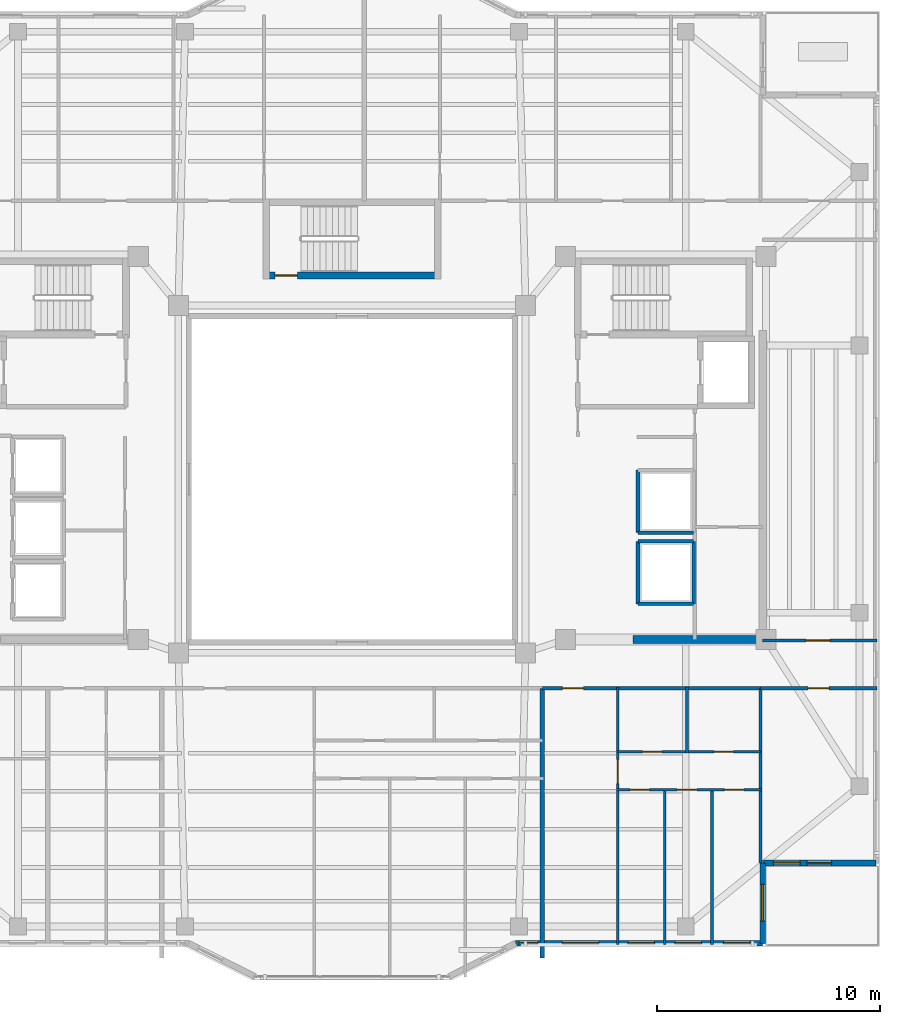
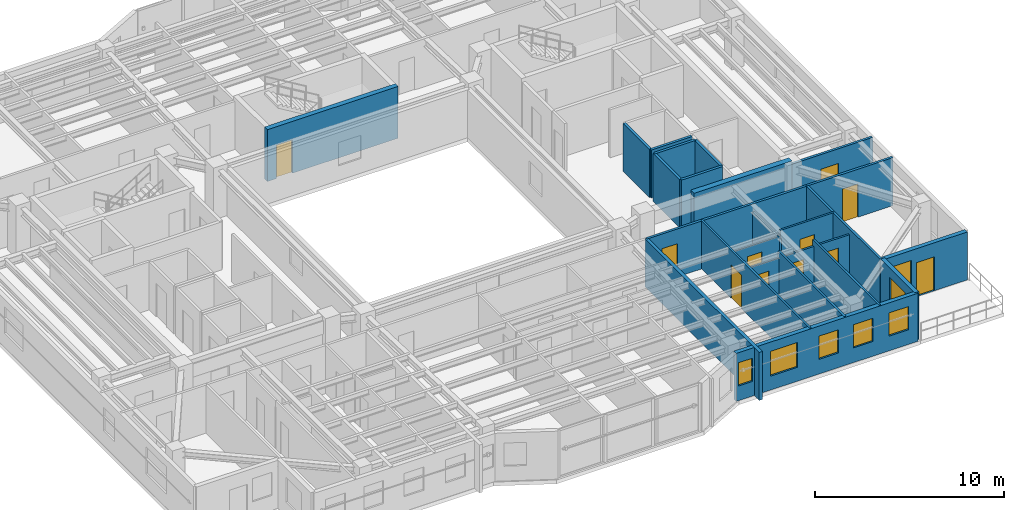
# One storey, part 8 of 15: 23 walls, 11 doors, 7 windows, 18 openings.
"""IFC4 building model written with IfcOpenShell, lengths in metres."""

from ifc_helpers import new_model, si_unit, direction, frame, frame_2d, origin, place, context, subcontext, project, spatial, rectangle, extrude, material, layer, layer_set, type_object, element, fill, save


model = new_model("IFC4")

# Units and contexts
model_context = context("Model", 3, precision=1e-05, world=origin(), true_north=direction((0.0, 1.0)))
body_context = subcontext(model_context, "Body", "Model", "MODEL_VIEW")
ifc_project = project(units=[si_unit("LENGTHUNIT", "METRE"), si_unit("AREAUNIT", "SQUARE_METRE"), si_unit("VOLUMEUNIT", "CUBIC_METRE"), si_unit("PLANEANGLEUNIT", "RADIAN"), si_unit("MASSUNIT", "GRAM", prefix="KILO")], contexts=[model_context])

# Site, building, storey
site_placement = place(None, origin())
site = spatial("IfcSite", under=ifc_project, at=site_placement, CompositionType="ELEMENT")
building_placement = place(site_placement, origin())
building = spatial("IfcBuilding", under=site, at=building_placement, Name="Tarnavaz Court Tower", CompositionType="ELEMENT")
storey_placement = place(building_placement, frame((0.0, 0.0, 186.89990234375)))
storey = spatial("IfcBuildingStorey", under=building, at=storey_placement, Name="L50", CompositionType="ELEMENT", Elevation=186.89990234375)

# Wall, opening, door
ifc_material_1 = material(Name="Concrete C50/60", Category="concrete")
ifc_layer_1 = layer(ifc_material_1, 0.300048828125)
ifc_layer_set_1 = layer_set([ifc_layer_1], Name="Concrete C50/60")
wall_type_1 = type_object("IfcWallType", Name="WL-CORE-300-C50", PredefinedType="SHEAR", material=ifc_layer_set_1)
wall_1_placement = place(storey_placement, frame((-4.0, 9.14990234375, 0.0), z_axis=(0.0, 0.0, 1.0), x_axis=(1.0, 0.0, 0.0)))
wall_1 = element("IfcWall", 1, at=wall_1_placement, inside=storey, type_object=wall_type_1, Name="L50 North Stair Core Wall 010", PredefinedType="SHEAR", context=body_context, shape_type="SweptSolid", body=[
    extrude(rectangle(XDim=8.0, YDim=0.300048828125, at=frame_2d((4.0, 0.0))), origin(), (0.0, 0.0, 1.0), 3.35009765625),
])
opening_1_placement = place(wall_1_placement, frame((0.550048828125, 0.0, 0.0)))
opening_1 = element("IfcOpeningElement", 2, at=opening_1_placement, cuts=wall_1, Name="Opening D01", PredefinedType="OPENING", context=body_context, shape_type="SweptSolid", body=[
    extrude(rectangle(XDim=1.0, YDim=2.14990234375, at=frame_2d((0.5, 1.074951171875))), frame((0.0, 0.159912109375, 0.0), z_axis=(0.0, -1.0, 0.0), x_axis=(1.0, 0.0, 0.0)), (0.0, 0.0, 1.0), 0.320068359375),
])
ifc_material_2 = material(Name="Fire-Rated Hardwood Timber Core", Category="wood")
door_type_1 = type_object("IfcDoorType", Name="DR-FD90-1000", OperationType="NOTDEFINED", PredefinedType="DOOR", material=ifc_material_2)
door_1_placement = place(opening_1_placement, origin())
door_1 = element("IfcDoor", 3, at=door_1_placement, inside=storey, type_object=door_type_1, Name="L50 Stair ST-N1 Exit Door", OperationType="SINGLE_SWING_LEFT", OverallHeight=2.14990234375, OverallWidth=1.0, PredefinedType="DOOR", context=body_context, shape_type="SweptSolid", body=[
    extrude(rectangle(XDim=1.0, YDim=2.14990234375, at=frame_2d((0.5, 1.074951171875))), frame((0.0, 0.02490234375, 0.0), z_axis=(0.0, -1.0, 0.0), x_axis=(1.0, 0.0, 0.0)), (0.0, 0.0, 1.0), 0.050048828125),
])
fill(opening_1, door_1)

# Wall
ifc_layer_2 = layer(ifc_material_1, 0.35009765625)
ifc_layer_set_2 = layer_set([ifc_layer_2], Name="Concrete C50/60")
wall_type_2 = type_object("IfcWallType", Name="WL-CORE-350-C50", PredefinedType="SHEAR", material=ifc_layer_set_2)
wall_2_placement = place(storey_placement, frame((12.625, -7.199951171875, 0.0), z_axis=(0.0, 0.0, 1.0), x_axis=(1.0, 0.0, 0.0)))
element("IfcWall", 4, at=wall_2_placement, inside=storey, type_object=wall_type_2, Name="L50 East Core South Shear Wall 048", PredefinedType="SHEAR", context=body_context, shape_type="SweptSolid", body=[
    extrude(rectangle(XDim=6.0, YDim=0.35009765625, at=frame_2d((3.0, 0.0))), origin(), (0.0, 0.0, 1.0), 3.35009765625),
])

# Wall, openings, door, window
ifc_material_3 = material(Name="Precast Concrete C40/50", Category="concrete")
ifc_layer_3 = layer(ifc_material_3, 0.260009765625)
ifc_layer_set_3 = layer_set([ifc_layer_3], Name="Precast Concrete C40/50")
wall_type_3 = type_object("IfcWallType", Name="WL-EXT-260", PredefinedType="SOLIDWALL", material=ifc_layer_set_3)
wall_3_placement = place(storey_placement, frame((23.550048828125, -17.25, 0.0), z_axis=(0.0, 0.0, 1.0), x_axis=(-1.0, 0.0, 0.0)))
wall_3 = element("IfcWall", 5, at=wall_3_placement, inside=storey, type_object=wall_type_3, Name="L50 Exterior Terracotta Facade Wall 13", PredefinedType="SOLIDWALL", context=body_context, shape_type="SweptSolid", body=[
    extrude(rectangle(XDim=5.10009765625, YDim=0.260009765625, at=frame_2d((2.550048828125, 0.0))), origin(), (0.0, 0.0, 1.0), 3.10009765625),
])
opening_2_placement = place(wall_3_placement, frame((2.0, 0.0, 0.0)))
opening_2 = element("IfcOpeningElement", 6, at=opening_2_placement, cuts=wall_3, Name="Opening TD1", PredefinedType="OPENING", context=body_context, shape_type="SweptSolid", body=[
    extrude(rectangle(XDim=1.10009765625, YDim=2.199951171875, at=frame_2d((0.550048828125, 1.10009765625))), frame((0.0, 0.139892578125, 0.0), z_axis=(0.0, -1.0, 0.0), x_axis=(1.0, 0.0, 0.0)), (0.0, 0.0, 1.0), 0.280029296875),
])
opening_3_placement = place(wall_3_placement, frame((3.419921875, 0.0, 0.949951171875)))
opening_3 = element("IfcOpeningElement", 7, at=opening_3_placement, cuts=wall_3, Name="Opening W05", PredefinedType="OPENING", context=body_context, shape_type="SweptSolid", body=[
    extrude(rectangle(XDim=1.199951171875, YDim=1.5, at=frame_2d((0.60009765625, 0.75))), frame((0.0, 0.139892578125, 0.0), z_axis=(0.0, -1.0, 0.0), x_axis=(1.0, 0.0, 0.0)), (0.0, 0.0, 1.0), 0.280029296875),
])
ifc_material_4 = material(Name="Thermally Broken Aluminium and Laminated Glass", Category="aluminium")
door_type_2 = type_object("IfcDoorType", Name="DR-TERR-1100", OperationType="NOTDEFINED", PredefinedType="DOOR", material=ifc_material_4)
door_2_placement = place(opening_2_placement, origin())
door_2 = element("IfcDoor", 8, at=door_2_placement, inside=storey, type_object=door_type_2, Name="L50 Sky Terrace Access Door 3", OperationType="SINGLE_SWING_LEFT", OverallHeight=2.199951171875, OverallWidth=1.10009765625, PredefinedType="DOOR", context=body_context, shape_type="SweptSolid", body=[
    extrude(rectangle(XDim=1.10009765625, YDim=2.199951171875, at=frame_2d((0.550048828125, 1.10009765625))), frame((0.0, 0.02490234375, 0.0), z_axis=(0.0, -1.0, 0.0), x_axis=(1.0, 0.0, 0.0)), (0.0, 0.0, 1.0), 0.050048828125),
])
fill(opening_2, door_2)
ifc_material_5 = material(Name="Double-Glazed Solar Low-E Glass", Category="glass")
window_type_1 = type_object("IfcWindowType", Name="WN-APT-1200", PartitioningType="SINGLE_PANEL", PredefinedType="WINDOW", material=ifc_material_5)
window_1_placement = place(opening_3_placement, origin())
window_1 = element("IfcWindow", 9, at=window_1_placement, inside=storey, type_object=window_type_1, Name="L50 South-East Corner Reading Room Window", OverallHeight=1.5, OverallWidth=1.199951171875, PartitioningType="SINGLE_PANEL", PredefinedType="WINDOW", context=body_context, shape_type="SweptSolid", body=[
    extrude(rectangle(XDim=1.199951171875, YDim=1.5, at=frame_2d((0.60009765625, 0.75))), frame((0.0, 0.030029296875, 0.0), z_axis=(0.0, -1.0, 0.0), x_axis=(1.0, 0.0, 0.0)), (0.0, 0.0, 1.0), 0.06005859375),
])
fill(opening_3, window_1)

# Wall, opening, window
wall_4_placement = place(storey_placement, frame((18.449951171875, -17.25, 0.0), z_axis=(0.0, 0.0, 1.0), x_axis=(0.0, -1.0, 0.0)))
wall_4 = element("IfcWall", 10, at=wall_4_placement, inside=storey, type_object=wall_type_3, Name="L50 Exterior Terracotta Facade Wall 14", PredefinedType="SOLIDWALL", context=body_context, shape_type="SweptSolid", body=[
    extrude(rectangle(XDim=3.60009765625, YDim=0.260009765625, at=frame_2d((1.800048828125, 0.0))), origin(), (0.0, 0.0, 1.0), 3.10009765625),
])
opening_4_placement = place(wall_4_placement, frame((0.95751953125, 0.0, 0.89990234375)))
opening_4 = element("IfcOpeningElement", 11, at=opening_4_placement, cuts=wall_4, Name="Opening W02", PredefinedType="OPENING", context=body_context, shape_type="SweptSolid", body=[
    extrude(rectangle(XDim=1.64990234375, YDim=1.60009765625, at=frame_2d((0.824951171875, 0.800048828125))), frame((0.0, 0.139892578125, 0.0), z_axis=(0.0, -1.0, 0.0), x_axis=(1.0, 0.0, 0.0)), (0.0, 0.0, 1.0), 0.280029296875),
])
window_type_2 = type_object("IfcWindowType", Name="WN-APT-1650", PartitioningType="DOUBLE_PANEL_VERTICAL", PredefinedType="WINDOW", material=ifc_material_5)
window_2_placement = place(opening_4_placement, origin())
window_2 = element("IfcWindow", 12, at=window_2_placement, inside=storey, type_object=window_type_2, Name="L50 Flat 03 Bedroom 3 Window", OverallHeight=1.60009765625, OverallWidth=1.64990234375, PartitioningType="SINGLE_PANEL", PredefinedType="WINDOW", context=body_context, shape_type="SweptSolid", body=[
    extrude(rectangle(XDim=1.64990234375, YDim=1.60009765625, at=frame_2d((0.824951171875, 0.800048828125))), frame((0.0, 0.030029296875, 0.0), z_axis=(0.0, -1.0, 0.0), x_axis=(1.0, 0.0, 0.0)), (0.0, 0.0, 1.0), 0.06005859375),
])
fill(opening_4, window_2)

# Wall, openings, windows
wall_5_placement = place(storey_placement, frame((18.449951171875, -20.85009765625, 0.0), z_axis=(0.0, 0.0, 1.0), x_axis=(-1.0, 0.0, 0.0)))
wall_5 = element("IfcWall", 13, at=wall_5_placement, inside=storey, type_object=wall_type_3, Name="L50 Exterior Terracotta Facade Wall 15", PredefinedType="SOLIDWALL", context=body_context, shape_type="SweptSolid", body=[
    extrude(rectangle(XDim=11.099853515625, YDim=0.260009765625, at=frame_2d((5.5498046875, 0.0))), origin(), (0.0, 0.0, 1.0), 3.10009765625),
])
opening_5_placement = place(wall_5_placement, frame((0.56005859375, 0.0, 0.949951171875)))
opening_5 = element("IfcOpeningElement", 14, at=opening_5_placement, cuts=wall_5, Name="Opening W05", PredefinedType="OPENING", context=body_context, shape_type="SweptSolid", body=[
    extrude(rectangle(XDim=1.199951171875, YDim=1.5, at=frame_2d((0.60009765625, 0.75))), frame((0.0, 0.139892578125, 0.0), z_axis=(0.0, -1.0, 0.0), x_axis=(1.0, 0.0, 0.0)), (0.0, 0.0, 1.0), 0.280029296875),
])
opening_6_placement = place(wall_5_placement, frame((2.738037109375, 0.0, 0.949951171875)))
opening_6 = element("IfcOpeningElement", 15, at=opening_6_placement, cuts=wall_5, Name="Opening W05", PredefinedType="OPENING", context=body_context, shape_type="SweptSolid", body=[
    extrude(rectangle(XDim=1.199951171875, YDim=1.5, at=frame_2d((0.60009765625, 0.75))), frame((0.0, 0.139892578125, 0.0), z_axis=(0.0, -1.0, 0.0), x_axis=(1.0, 0.0, 0.0)), (0.0, 0.0, 1.0), 0.280029296875),
])
opening_7_placement = place(wall_5_placement, frame((4.8564453125, 0.0, 0.949951171875)))
opening_7 = element("IfcOpeningElement", 16, at=opening_7_placement, cuts=wall_5, Name="Opening W05", PredefinedType="OPENING", context=body_context, shape_type="SweptSolid", body=[
    extrude(rectangle(XDim=1.199951171875, YDim=1.5, at=frame_2d((0.60009765625, 0.75))), frame((0.0, 0.139892578125, 0.0), z_axis=(0.0, -1.0, 0.0), x_axis=(1.0, 0.0, 0.0)), (0.0, 0.0, 1.0), 0.280029296875),
])
opening_8_placement = place(wall_5_placement, frame((7.36181640625, 0.0, 0.89990234375)))
opening_8 = element("IfcOpeningElement", 17, at=opening_8_placement, cuts=wall_5, Name="Opening W02", PredefinedType="OPENING", context=body_context, shape_type="SweptSolid", body=[
    extrude(rectangle(XDim=1.64990234375, YDim=1.60009765625, at=frame_2d((0.824951171875, 0.800048828125))), frame((0.0, 0.139892578125, 0.0), z_axis=(0.0, -1.0, 0.0), x_axis=(1.0, 0.0, 0.0)), (0.0, 0.0, 1.0), 0.280029296875),
])
opening_9_placement = place(wall_5_placement, frame((10.1025390625, 0.0, 0.949951171875)))
opening_9 = element("IfcOpeningElement", 18, at=opening_9_placement, cuts=wall_5, Name="Opening W15", PredefinedType="OPENING", context=body_context, shape_type="SweptSolid", body=[
    extrude(rectangle(XDim=0.85009765625, YDim=1.5, at=frame_2d((0.425048828125, 0.75))), frame((0.0, 0.139892578125, 0.0), z_axis=(0.0, -1.0, 0.0), x_axis=(1.0, 0.0, 0.0)), (0.0, 0.0, 1.0), 0.280029296875),
])
window_3_placement = place(opening_5_placement, origin())
window_3 = element("IfcWindow", 19, at=window_3_placement, inside=storey, type_object=window_type_1, Name="L50 Flat 03 Bedroom 3 Window", OverallHeight=1.5, OverallWidth=1.199951171875, PartitioningType="SINGLE_PANEL", PredefinedType="WINDOW", context=body_context, shape_type="SweptSolid", body=[
    extrude(rectangle(XDim=1.199951171875, YDim=1.5, at=frame_2d((0.60009765625, 0.75))), frame((0.0, 0.030029296875, 0.0), z_axis=(0.0, -1.0, 0.0), x_axis=(1.0, 0.0, 0.0)), (0.0, 0.0, 1.0), 0.06005859375),
])
fill(opening_5, window_3)
window_4_placement = place(opening_6_placement, origin())
window_4 = element("IfcWindow", 20, at=window_4_placement, inside=storey, type_object=window_type_1, Name="L50 Flat 03 Bedroom 2 Window", OverallHeight=1.5, OverallWidth=1.199951171875, PartitioningType="SINGLE_PANEL", PredefinedType="WINDOW", context=body_context, shape_type="SweptSolid", body=[
    extrude(rectangle(XDim=1.199951171875, YDim=1.5, at=frame_2d((0.60009765625, 0.75))), frame((0.0, 0.030029296875, 0.0), z_axis=(0.0, -1.0, 0.0), x_axis=(1.0, 0.0, 0.0)), (0.0, 0.0, 1.0), 0.06005859375),
])
fill(opening_6, window_4)
window_5_placement = place(opening_7_placement, origin())
window_5 = element("IfcWindow", 21, at=window_5_placement, inside=storey, type_object=window_type_1, Name="L50 Flat 03 Principal Bedroom Window", OverallHeight=1.5, OverallWidth=1.199951171875, PartitioningType="SINGLE_PANEL", PredefinedType="WINDOW", context=body_context, shape_type="SweptSolid", body=[
    extrude(rectangle(XDim=1.199951171875, YDim=1.5, at=frame_2d((0.60009765625, 0.75))), frame((0.0, 0.030029296875, 0.0), z_axis=(0.0, -1.0, 0.0), x_axis=(1.0, 0.0, 0.0)), (0.0, 0.0, 1.0), 0.06005859375),
])
fill(opening_7, window_5)
window_6_placement = place(opening_8_placement, origin())
window_6 = element("IfcWindow", 22, at=window_6_placement, inside=storey, type_object=window_type_2, Name="L50 Flat 03 Living and Dining Room Window", OverallHeight=1.60009765625, OverallWidth=1.64990234375, PartitioningType="SINGLE_PANEL", PredefinedType="WINDOW", context=body_context, shape_type="SweptSolid", body=[
    extrude(rectangle(XDim=1.64990234375, YDim=1.60009765625, at=frame_2d((0.824951171875, 0.800048828125))), frame((0.0, 0.030029296875, 0.0), z_axis=(0.0, -1.0, 0.0), x_axis=(1.0, 0.0, 0.0)), (0.0, 0.0, 1.0), 0.06005859375),
])
fill(opening_8, window_6)
window_type_3 = type_object("IfcWindowType", Name="WN-APT-850", PartitioningType="SINGLE_PANEL", PredefinedType="WINDOW", material=ifc_material_5)
window_7_placement = place(opening_9_placement, origin())
window_7 = element("IfcWindow", 23, at=window_7_placement, inside=storey, type_object=window_type_3, Name="L50 Flat 04 Bedroom 3 Window", OverallHeight=1.5, OverallWidth=0.85009765625, PartitioningType="SINGLE_PANEL", PredefinedType="WINDOW", context=body_context, shape_type="SweptSolid", body=[
    extrude(rectangle(XDim=0.85009765625, YDim=1.5, at=frame_2d((0.425048828125, 0.75))), frame((0.0, 0.030029296875, 0.0), z_axis=(0.0, -1.0, 0.0), x_axis=(1.0, 0.0, 0.0)), (0.0, 0.0, 1.0), 0.06005859375),
])
fill(opening_9, window_7)

# Wall, opening, door
ifc_material_6 = material(Name="Gypsum Fire-Board on Acoustic Metal Stud", Category="masonry")
ifc_layer_4 = layer(ifc_material_6, 0.14990234375)
ifc_layer_set_4 = layer_set([ifc_layer_4], Name="Gypsum Fire-Board on Acoustic Metal Stud")
wall_type_4 = type_object("IfcWallType", Name="WL-FIRE-150", PredefinedType="PARTITIONING", material=ifc_layer_set_4)
wall_6_placement = place(storey_placement, frame((8.550048828125, -9.39990234375, 0.0), z_axis=(0.0, 0.0, 1.0), x_axis=(1.0, 0.0, 0.0)))
wall_6 = element("IfcWall", 24, at=wall_6_placement, inside=storey, type_object=wall_type_4, Name="L50 SE Lobby Wall 059", PredefinedType="PARTITIONING", context=body_context, shape_type="SweptSolid", body=[
    extrude(rectangle(XDim=9.800048828125, YDim=0.14990234375, at=frame_2d((4.89990234375, 0.0))), origin(), (0.0, 0.0, 1.0), 3.10009765625),
])
opening_10_placement = place(wall_6_placement, frame((0.89990234375, 0.0, 0.0)))
opening_10 = element("IfcOpeningElement", 25, at=opening_10_placement, cuts=wall_6, Name="Opening D06", PredefinedType="OPENING", context=body_context, shape_type="SweptSolid", body=[
    extrude(rectangle(XDim=0.9599609375, YDim=2.14990234375, at=frame_2d((0.47998046875, 1.074951171875))), frame((0.0, 0.0849609375, 0.0), z_axis=(0.0, -1.0, 0.0), x_axis=(1.0, 0.0, 0.0)), (0.0, 0.0, 1.0), 0.169921875),
])
door_type_3 = type_object("IfcDoorType", Name="DR-FD60-950", OperationType="NOTDEFINED", PredefinedType="DOOR", material=ifc_material_2)
door_3_placement = place(opening_10_placement, origin())
door_3 = element("IfcDoor", 26, at=door_3_placement, inside=storey, type_object=door_type_3, Name="L50 Flat 03 Entrance Door", OperationType="SINGLE_SWING_RIGHT", OverallHeight=2.14990234375, OverallWidth=0.9599609375, PredefinedType="DOOR", context=body_context, shape_type="SweptSolid", body=[
    extrude(rectangle(XDim=0.9599609375, YDim=2.14990234375, at=frame_2d((0.47998046875, 1.074951171875))), frame((0.0, 0.02490234375, 0.0), z_axis=(0.0, -1.0, 0.0), x_axis=(1.0, 0.0, 0.0)), (0.0, 0.0, 1.0), 0.050048828125),
])
fill(opening_10, door_3)

wall_7_placement = place(storey_placement, frame((18.449951171875, -7.25, 0.0), z_axis=(0.0, 0.0, 1.0), x_axis=(1.0, 0.0, 0.0)))
wall_7 = element("IfcWall", 27, at=wall_7_placement, inside=storey, type_object=wall_type_4, Name="L50 Interior Partition 093", PredefinedType="PARTITIONING", context=body_context, shape_type="SweptSolid", body=[
    extrude(rectangle(XDim=5.130126953125, YDim=0.14990234375, at=frame_2d((2.56494140625, 0.0))), origin(), (0.0, 0.0, 1.0), 3.10009765625),
])
opening_11_placement = place(wall_7_placement, frame((1.949951171875, 0.0, 0.0)))
opening_11 = element("IfcOpeningElement", 28, at=opening_11_placement, cuts=wall_7, Name="Opening D12", PredefinedType="OPENING", context=body_context, shape_type="SweptSolid", body=[
    extrude(rectangle(XDim=1.080078125, YDim=2.14990234375, at=frame_2d((0.5400390625, 1.074951171875))), frame((0.0, 0.0849609375, 0.0), z_axis=(0.0, -1.0, 0.0), x_axis=(1.0, 0.0, 0.0)), (0.0, 0.0, 1.0), 0.169921875),
])
ifc_material_7 = material(Name="Engineered Oak Timber", Category="wood")
door_type_4 = type_object("IfcDoorType", Name="DR-INT-1100", OperationType="NOTDEFINED", PredefinedType="DOOR", material=ifc_material_7)
door_4_placement = place(opening_11_placement, origin())
door_4 = element("IfcDoor", 29, at=door_4_placement, inside=storey, type_object=door_type_4, Name="L50 East Daycare Playroom Door", OperationType="SINGLE_SWING_LEFT", OverallHeight=2.14990234375, OverallWidth=1.080078125, PredefinedType="DOOR", context=body_context, shape_type="SweptSolid", body=[
    extrude(rectangle(XDim=1.080078125, YDim=2.14990234375, at=frame_2d((0.5400390625, 1.074951171875))), frame((0.0, 0.02490234375, 0.0), z_axis=(0.0, -1.0, 0.0), x_axis=(1.0, 0.0, 0.0)), (0.0, 0.0, 1.0), 0.050048828125),
])
fill(opening_11, door_4)

wall_8_placement = place(storey_placement, frame((18.35009765625, -9.39990234375, 0.0), z_axis=(0.0, 0.0, 1.0), x_axis=(1.0, 0.0, 0.0)))
wall_8 = element("IfcWall", 30, at=wall_8_placement, inside=storey, type_object=wall_type_4, Name="L50 Interior Partition 102", PredefinedType="PARTITIONING", context=body_context, shape_type="SweptSolid", body=[
    extrude(rectangle(XDim=5.22998046875, YDim=0.14990234375, at=frame_2d((2.614990234375, 0.0))), origin(), (0.0, 0.0, 1.0), 3.10009765625),
])
opening_12_placement = place(wall_8_placement, frame((2.139892578125, 0.0, 0.0)))
opening_12 = element("IfcOpeningElement", 31, at=opening_12_placement, cuts=wall_8, Name="Opening D13", PredefinedType="OPENING", context=body_context, shape_type="SweptSolid", body=[
    extrude(rectangle(XDim=0.949951171875, YDim=2.14990234375, at=frame_2d((0.47509765625, 1.074951171875))), frame((0.0, 0.0849609375, 0.0), z_axis=(0.0, -1.0, 0.0), x_axis=(1.0, 0.0, 0.0)), (0.0, 0.0, 1.0), 0.169921875),
])
door_type_5 = type_object("IfcDoorType", Name="DR-INT-950", OperationType="NOTDEFINED", PredefinedType="DOOR", material=ifc_material_7)
door_5_placement = place(opening_12_placement, origin())
door_5 = element("IfcDoor", 32, at=door_5_placement, inside=storey, type_object=door_type_5, Name="L50 SE Reading Room Door", OperationType="SINGLE_SWING_LEFT", OverallHeight=2.14990234375, OverallWidth=0.949951171875, PredefinedType="DOOR", context=body_context, shape_type="SweptSolid", body=[
    extrude(rectangle(XDim=0.949951171875, YDim=2.14990234375, at=frame_2d((0.47509765625, 1.074951171875))), frame((0.0, 0.02490234375, 0.0), z_axis=(0.0, -1.0, 0.0), x_axis=(1.0, 0.0, 0.0)), (0.0, 0.0, 1.0), 0.050048828125),
])
fill(opening_12, door_5)

# Wall
ifc_material_8 = material(Name="Autoclaved Aerated Concrete Blockwork", Category="masonry")
ifc_layer_5 = layer(ifc_material_8, 0.199951171875)
ifc_layer_set_5 = layer_set([ifc_layer_5], Name="Autoclaved Aerated Concrete Blockwork")
wall_type_5 = type_object("IfcWallType", Name="WL-FIRE-200", PredefinedType="SOLIDWALL", material=ifc_layer_set_5)
wall_9_placement = place(storey_placement, frame((8.550048828125, -21.50390625, 0.0), z_axis=(0.0, 0.0, 1.0), x_axis=(0.0, 1.0, 0.0)))
element("IfcWall", 33, at=wall_9_placement, inside=storey, type_object=wall_type_5, Name="L50 Party Wall 082", PredefinedType="SOLIDWALL", context=body_context, shape_type="SweptSolid", body=[
    extrude(rectangle(XDim=12.10400390625, YDim=0.199951171875, at=frame_2d((6.052001953125, 0.0))), origin(), (0.0, 0.0, 1.0), 3.10009765625),
])

# Wall, opening, door
ifc_material_9 = material(Name="Moisture-Resistant Gypsum Board Partition", Category="masonry")
ifc_layer_6 = layer(ifc_material_9, 0.1201171875)
ifc_layer_set_6 = layer_set([ifc_layer_6], Name="Moisture-Resistant Gypsum Board Partition")
wall_type_6 = type_object("IfcWallType", Name="WL-PART-120", PredefinedType="PARTITIONING", material=ifc_layer_set_6)
wall_10_placement = place(storey_placement, frame((11.93408203125, -20.89990234375, 0.0), z_axis=(0.0, 0.0, 1.0), x_axis=(0.0, 1.0, 0.0)))
wall_10 = element("IfcWall", 34, at=wall_10_placement, inside=storey, type_object=wall_type_6, Name="L50 Interior Partition 074", PredefinedType="PARTITIONING", context=body_context, shape_type="SweptSolid", body=[
    extrude(rectangle(XDim=11.559814453125, YDim=0.1201171875, at=frame_2d((5.77978515625, 0.0))), origin(), (0.0, 0.0, 1.0), 3.10009765625),
])
opening_13_placement = place(wall_10_placement, frame((7.22509765625, 0.0, 0.0)))
opening_13 = element("IfcOpeningElement", 35, at=opening_13_placement, cuts=wall_10, Name="Opening D12", PredefinedType="OPENING", context=body_context, shape_type="SweptSolid", body=[
    extrude(rectangle(XDim=1.080078125, YDim=2.14990234375, at=frame_2d((0.5400390625, 1.074951171875))), frame((0.0, 0.070068359375, 0.0), z_axis=(0.0, -1.0, 0.0), x_axis=(1.0, 0.0, 0.0)), (0.0, 0.0, 1.0), 0.14013671875),
])
door_6_placement = place(opening_13_placement, origin())
door_6 = element("IfcDoor", 36, at=door_6_placement, inside=storey, type_object=door_type_4, Name="L50 Flat 03 Foyer Door", OperationType="SINGLE_SWING_LEFT", OverallHeight=2.14990234375, OverallWidth=1.080078125, PredefinedType="DOOR", context=body_context, shape_type="SweptSolid", body=[
    extrude(rectangle(XDim=1.080078125, YDim=2.14990234375, at=frame_2d((0.5400390625, 1.074951171875))), frame((0.0, 0.02490234375, 0.0), z_axis=(0.0, -1.0, 0.0), x_axis=(1.0, 0.0, 0.0)), (0.0, 0.0, 1.0), 0.050048828125),
])
fill(opening_13, door_6)

wall_11_placement = place(storey_placement, frame((11.93408203125, -12.25, 0.0), z_axis=(0.0, 0.0, 1.0), x_axis=(1.0, 0.0, 0.0)))
wall_11 = element("IfcWall", 37, at=wall_11_placement, inside=storey, type_object=wall_type_6, Name="L50 Interior Partition 075", PredefinedType="PARTITIONING", context=body_context, shape_type="SweptSolid", body=[
    extrude(rectangle(XDim=3.114013671875, YDim=0.1201171875, at=frame_2d((1.55712890625, 0.0))), origin(), (0.0, 0.0, 1.0), 2.72509765625),
])
opening_14_placement = place(wall_11_placement, frame((1.116943359375, 0.0, 0.0)))
opening_14 = element("IfcOpeningElement", 38, at=opening_14_placement, cuts=wall_11, Name="Opening D14", PredefinedType="OPENING", context=body_context, shape_type="SweptSolid", body=[
    extrude(rectangle(XDim=0.8798828125, YDim=2.10009765625, at=frame_2d((0.43994140625, 1.050048828125))), frame((0.0, 0.070068359375, 0.0), z_axis=(0.0, -1.0, 0.0), x_axis=(1.0, 0.0, 0.0)), (0.0, 0.0, 1.0), 0.14013671875),
])
door_type_6 = type_object("IfcDoorType", Name="DR-INT-900", OperationType="NOTDEFINED", PredefinedType="DOOR", material=ifc_material_7)
door_7_placement = place(opening_14_placement, origin())
door_7 = element("IfcDoor", 39, at=door_7_placement, inside=storey, type_object=door_type_6, Name="L50 Flat 03 Kitchen Door", OperationType="SINGLE_SWING_RIGHT", OverallHeight=2.10009765625, OverallWidth=0.8798828125, PredefinedType="DOOR", context=body_context, shape_type="SweptSolid", body=[
    extrude(rectangle(XDim=0.8798828125, YDim=2.10009765625, at=frame_2d((0.43994140625, 1.050048828125))), frame((0.0, 0.02490234375, 0.0), z_axis=(0.0, -1.0, 0.0), x_axis=(1.0, 0.0, 0.0)), (0.0, 0.0, 1.0), 0.050048828125),
])
fill(opening_14, door_7)

wall_12_placement = place(storey_placement, frame((15.048095703125, -12.25, 0.0), z_axis=(0.0, 0.0, 1.0), x_axis=(1.0, 0.0, 0.0)))
wall_12 = element("IfcWall", 40, at=wall_12_placement, inside=storey, type_object=wall_type_6, Name="L50 Interior Partition 076", PredefinedType="PARTITIONING", context=body_context, shape_type="SweptSolid", body=[
    extrude(rectangle(XDim=3.302001953125, YDim=0.1201171875, at=frame_2d((1.65087890625, 0.0))), origin(), (0.0, 0.0, 1.0), 3.10009765625),
])
opening_15_placement = place(wall_12_placement, frame((1.2109375, 0.0, 0.0)))
opening_15 = element("IfcOpeningElement", 41, at=opening_15_placement, cuts=wall_12, Name="Opening D14", PredefinedType="OPENING", context=body_context, shape_type="SweptSolid", body=[
    extrude(rectangle(XDim=0.8798828125, YDim=2.10009765625, at=frame_2d((0.43994140625, 1.050048828125))), frame((0.0, 0.070068359375, 0.0), z_axis=(0.0, -1.0, 0.0), x_axis=(1.0, 0.0, 0.0)), (0.0, 0.0, 1.0), 0.14013671875),
])
door_8_placement = place(opening_15_placement, origin())
door_8 = element("IfcDoor", 42, at=door_8_placement, inside=storey, type_object=door_type_6, Name="L50 Flat 03 Bathroom Door", OperationType="SINGLE_SWING_LEFT", OverallHeight=2.10009765625, OverallWidth=0.8798828125, PredefinedType="DOOR", context=body_context, shape_type="SweptSolid", body=[
    extrude(rectangle(XDim=0.8798828125, YDim=2.10009765625, at=frame_2d((0.43994140625, 1.050048828125))), frame((0.0, 0.02490234375, 0.0), z_axis=(0.0, -1.0, 0.0), x_axis=(1.0, 0.0, 0.0)), (0.0, 0.0, 1.0), 0.050048828125),
])
fill(opening_15, door_8)

# Wall, openings, doors
wall_13_placement = place(storey_placement, frame((11.8740234375, -13.9599609375, 0.0), z_axis=(0.0, 0.0, 1.0), x_axis=(1.0, 0.0, 0.0)))
wall_13 = element("IfcWall", 43, at=wall_13_placement, inside=storey, type_object=wall_type_6, Name="L50 Interior Partition 077", PredefinedType="PARTITIONING", context=body_context, shape_type="SweptSolid", body=[
    extrude(rectangle(XDim=6.535888671875, YDim=0.1201171875, at=frame_2d((3.26806640625, 0.0))), origin(), (0.0, 0.0, 1.0), 2.72509765625),
])
opening_16_placement = place(wall_13_placement, frame((0.618896484375, 0.0, 0.0)))
opening_16 = element("IfcOpeningElement", 44, at=opening_16_placement, cuts=wall_13, Name="Opening D14", PredefinedType="OPENING", context=body_context, shape_type="SweptSolid", body=[
    extrude(rectangle(XDim=0.8798828125, YDim=2.10009765625, at=frame_2d((0.43994140625, 1.050048828125))), frame((0.0, 0.070068359375, 0.0), z_axis=(0.0, -1.0, 0.0), x_axis=(1.0, 0.0, 0.0)), (0.0, 0.0, 1.0), 0.14013671875),
])
opening_17_placement = place(wall_13_placement, frame((2.738037109375, 0.0, 0.0)))
opening_17 = element("IfcOpeningElement", 45, at=opening_17_placement, cuts=wall_13, Name="Opening D14", PredefinedType="OPENING", context=body_context, shape_type="SweptSolid", body=[
    extrude(rectangle(XDim=0.8798828125, YDim=2.10009765625, at=frame_2d((0.43994140625, 1.050048828125))), frame((0.0, 0.070068359375, 0.0), z_axis=(0.0, -1.0, 0.0), x_axis=(1.0, 0.0, 0.0)), (0.0, 0.0, 1.0), 0.14013671875),
])
opening_18_placement = place(wall_13_placement, frame((4.85693359375, 0.0, 0.0)))
opening_18 = element("IfcOpeningElement", 46, at=opening_18_placement, cuts=wall_13, Name="Opening D14", PredefinedType="OPENING", context=body_context, shape_type="SweptSolid", body=[
    extrude(rectangle(XDim=0.8798828125, YDim=2.10009765625, at=frame_2d((0.43994140625, 1.050048828125))), frame((0.0, 0.070068359375, 0.0), z_axis=(0.0, -1.0, 0.0), x_axis=(1.0, 0.0, 0.0)), (0.0, 0.0, 1.0), 0.14013671875),
])
door_9_placement = place(opening_16_placement, origin())
door_9 = element("IfcDoor", 47, at=door_9_placement, inside=storey, type_object=door_type_6, Name="L50 Flat 03 Bedroom 1 Door", OperationType="SINGLE_SWING_RIGHT", OverallHeight=2.10009765625, OverallWidth=0.8798828125, PredefinedType="DOOR", context=body_context, shape_type="SweptSolid", body=[
    extrude(rectangle(XDim=0.8798828125, YDim=2.10009765625, at=frame_2d((0.43994140625, 1.050048828125))), frame((0.0, 0.02490234375, 0.0), z_axis=(0.0, -1.0, 0.0), x_axis=(1.0, 0.0, 0.0)), (0.0, 0.0, 1.0), 0.050048828125),
])
fill(opening_16, door_9)
door_10_placement = place(opening_17_placement, origin())
door_10 = element("IfcDoor", 48, at=door_10_placement, inside=storey, type_object=door_type_6, Name="L50 Flat 03 Bedroom 2 Door", OperationType="SINGLE_SWING_LEFT", OverallHeight=2.10009765625, OverallWidth=0.8798828125, PredefinedType="DOOR", context=body_context, shape_type="SweptSolid", body=[
    extrude(rectangle(XDim=0.8798828125, YDim=2.10009765625, at=frame_2d((0.43994140625, 1.050048828125))), frame((0.0, 0.02490234375, 0.0), z_axis=(0.0, -1.0, 0.0), x_axis=(1.0, 0.0, 0.0)), (0.0, 0.0, 1.0), 0.050048828125),
])
fill(opening_17, door_10)
door_11_placement = place(opening_18_placement, origin())
door_11 = element("IfcDoor", 49, at=door_11_placement, inside=storey, type_object=door_type_6, Name="L50 Flat 03 Bedroom 3 Door", OperationType="SINGLE_SWING_RIGHT", OverallHeight=2.10009765625, OverallWidth=0.8798828125, PredefinedType="DOOR", context=body_context, shape_type="SweptSolid", body=[
    extrude(rectangle(XDim=0.8798828125, YDim=2.10009765625, at=frame_2d((0.43994140625, 1.050048828125))), frame((0.0, 0.02490234375, 0.0), z_axis=(0.0, -1.0, 0.0), x_axis=(1.0, 0.0, 0.0)), (0.0, 0.0, 1.0), 0.050048828125),
])
fill(opening_18, door_11)

# Walls
wall_14_placement = place(storey_placement, frame((15.048095703125, -12.31005859375, 0.0), z_axis=(0.0, 0.0, 1.0), x_axis=(0.0, 1.0, 0.0)))
element("IfcWall", 50, at=wall_14_placement, inside=storey, type_object=wall_type_6, Name="L50 Interior Partition 078", PredefinedType="PARTITIONING", context=body_context, shape_type="SweptSolid", body=[
    extrude(rectangle(XDim=2.969970703125, YDim=0.1201171875, at=frame_2d((1.48486328125, 0.0))), origin(), (0.0, 0.0, 1.0), 2.585205078125),
])
for number, where, z_axis, x_axis, name in (
    (51, (14.052978515625, -20.89990234375, 0.0), (0.0, 0.0, 1.0), (0.0, 1.0, 0.0), "L50 Interior Partition 079"),
    (52, (16.1708984375, -20.89990234375, 0.0), (0.0, 0.0, 1.0), (0.0, 1.0, 0.0), "L50 Interior Partition 080"),
):
    element("IfcWall", number, at=place(storey_placement, frame(where, z_axis=z_axis, x_axis=x_axis)), inside=storey, type_object=wall_type_6, Name=name, PredefinedType="PARTITIONING", context=body_context, shape_type="SweptSolid", body=[
        extrude(rectangle(XDim=7.0, YDim=0.1201171875, at=frame_2d((3.5, 0.0))), origin(), (0.0, 0.0, 1.0), 3.10009765625),
    ])
ifc_material_10 = material(Name="Gypsum Plasterboard Acoustic Partition", Category="masonry")
ifc_layer_7 = layer(ifc_material_10, 0.139892578125)
ifc_layer_set_7 = layer_set([ifc_layer_7], Name="Gypsum Plasterboard Acoustic Partition")
wall_type_7 = type_object("IfcWallType", Name="WL-PART-150", PredefinedType="PARTITIONING", material=ifc_layer_set_7)
wall_15_placement = place(storey_placement, frame((18.35009765625, -17.25, 0.0), z_axis=(0.0, 0.0, 1.0), x_axis=(0.0, 1.0, 0.0)))
element("IfcWall", 53, at=wall_15_placement, inside=storey, type_object=wall_type_7, Name="L50 Interior Partition 096", PredefinedType="PARTITIONING", context=body_context, shape_type="SweptSolid", body=[
    extrude(rectangle(XDim=7.85009765625, YDim=0.139892578125, at=frame_2d((3.925048828125, 0.0))), origin(), (0.0, 0.0, 1.0), 3.10009765625),
])
ifc_layer_8 = layer(ifc_material_8, 0.159912109375)
ifc_layer_set_8 = layer_set([ifc_layer_8], Name="Autoclaved Aerated Concrete Blockwork")
wall_type_8 = type_object("IfcWallType", Name="WL-SHAFT-150", PredefinedType="SOLIDWALL", material=ifc_layer_set_8)
for number, where, z_axis, x_axis, name in (
    (54, (12.85009765625, -5.60009765625, 0.0), (0.0, 0.0, 1.0), (0.0, 1.0, 0.0), "L50 Lift PL-OB1 Shaft Wall 037"),
    (55, (15.35009765625, -5.60009765625, 0.0), (0.0, 0.0, 1.0), (0.0, 1.0, 0.0), "L50 Lift PL-OB1 Shaft Wall 038"),
):
    element("IfcWall", number, at=place(storey_placement, frame(where, z_axis=z_axis, x_axis=x_axis)), inside=storey, type_object=wall_type_8, Name=name, PredefinedType="SOLIDWALL", context=body_context, shape_type="SweptSolid", body=[
        extrude(rectangle(XDim=2.800048828125, YDim=0.159912109375, at=frame_2d((1.39990234375, 0.0))), origin(), (0.0, 0.0, 1.0), 3.10009765625),
    ])
for number, where, z_axis, x_axis, name in (
    (56, (12.85009765625, -5.60009765625, 0.0), (0.0, 0.0, 1.0), (1.0, 0.0, 0.0), "L50 Lift PL-OB1 Shaft Wall 039"),
    (57, (12.85009765625, -2.800048828125, 0.0), (0.0, 0.0, 1.0), (1.0, 0.0, 0.0), "L50 Lift PL-OB1 Shaft Wall 040"),
):
    element("IfcWall", number, at=place(storey_placement, frame(where, z_axis=z_axis, x_axis=x_axis)), inside=storey, type_object=wall_type_8, Name=name, PredefinedType="SOLIDWALL", context=body_context, shape_type="SweptSolid", body=[
        extrude(rectangle(XDim=2.5, YDim=0.159912109375, at=frame_2d((1.25, 0.0))), origin(), (0.0, 0.0, 1.0), 3.10009765625),
    ])
wall_16_placement = place(storey_placement, frame((12.85009765625, -2.39990234375, 0.0), z_axis=(0.0, 0.0, 1.0), x_axis=(0.0, 1.0, 0.0)))
element("IfcWall", 58, at=wall_16_placement, inside=storey, type_object=wall_type_8, Name="L50 Lift PL-OB2 Shaft Wall 041", PredefinedType="SOLIDWALL", context=body_context, shape_type="SweptSolid", body=[
    extrude(rectangle(XDim=2.7998046875, YDim=0.159912109375, at=frame_2d((1.39990234375, 0.0))), origin(), (0.0, 0.0, 1.0), 3.10009765625),
])
wall_17_placement = place(storey_placement, frame((12.85009765625, -2.39990234375, 0.0), z_axis=(0.0, 0.0, 1.0), x_axis=(1.0, 0.0, 0.0)))
element("IfcWall", 59, at=wall_17_placement, inside=storey, type_object=wall_type_8, Name="L50 Lift PL-OB2 Shaft Wall 043", PredefinedType="SOLIDWALL", context=body_context, shape_type="SweptSolid", body=[
    extrude(rectangle(XDim=2.5, YDim=0.159912109375, at=frame_2d((1.25, 0.0))), origin(), (0.0, 0.0, 1.0), 3.10009765625),
])

save(model, "model.ifc")
